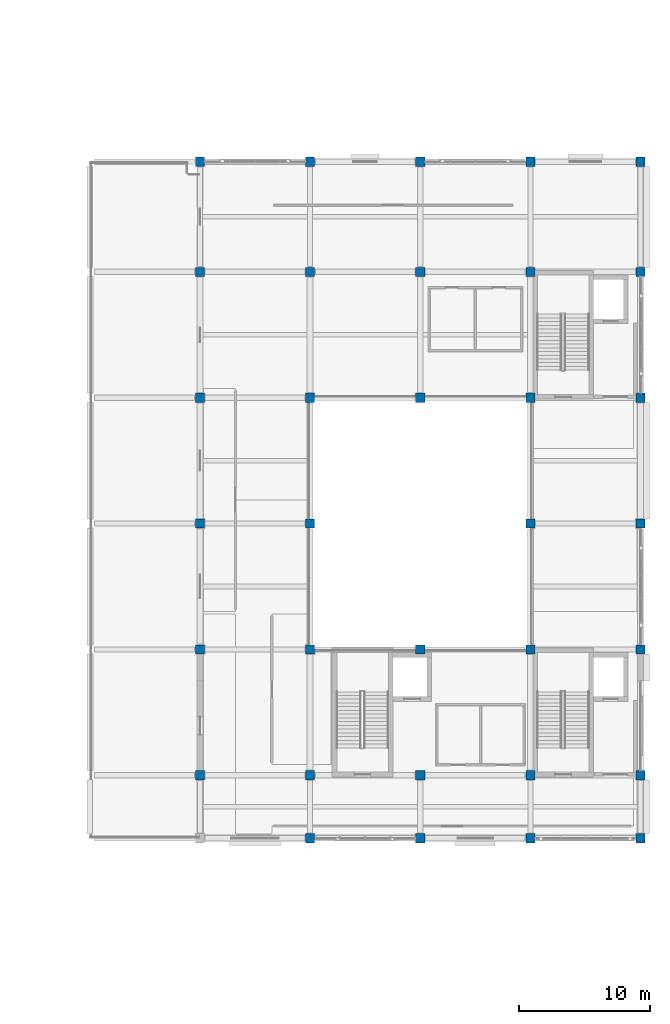
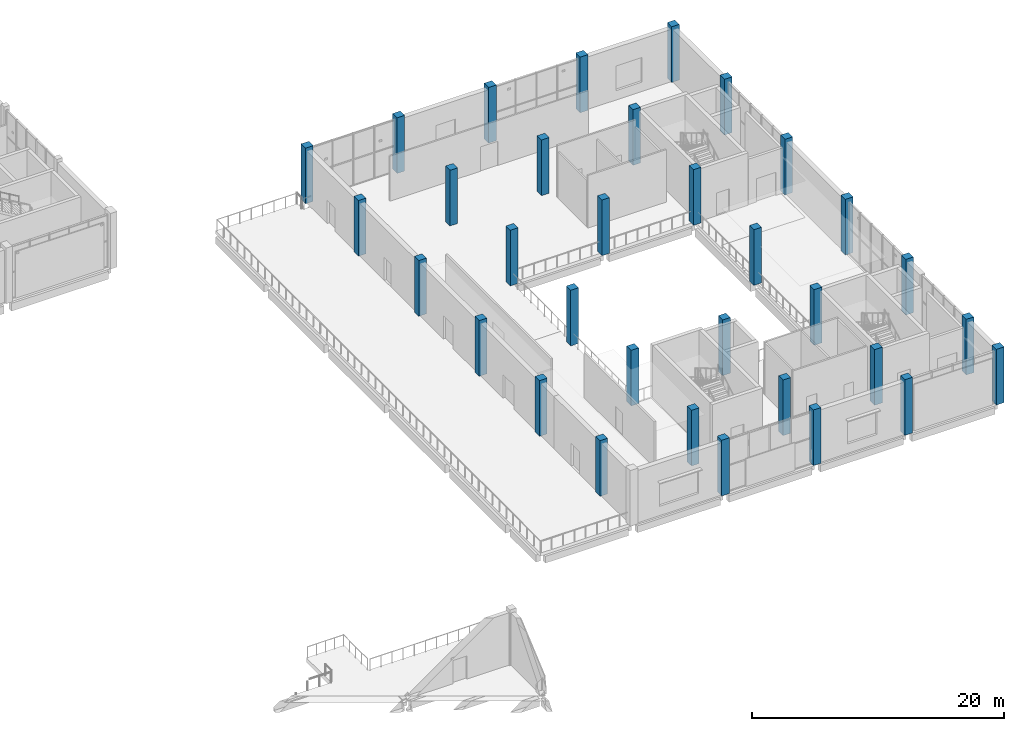
# One storey, part 6 of 83: 33 columns.
"""IFC4 building model written with IfcOpenShell, lengths in metres."""

from ifc_helpers import new_model, si_unit, direction, frame, origin, origin_2d, place, context, subcontext, project, spatial, rectangle, extrude, material, material_profile, profile_set, type_object, element, save


model = new_model("IFC4")

# Units and contexts
model_context = context("Model", 3, precision=1e-05, world=origin(), true_north=direction((0.0, 1.0)))
body_context = subcontext(model_context, "Body", "Model", "MODEL_VIEW")
ifc_project = project(units=[si_unit("LENGTHUNIT", "METRE"), si_unit("AREAUNIT", "SQUARE_METRE"), si_unit("VOLUMEUNIT", "CUBIC_METRE"), si_unit("PLANEANGLEUNIT", "RADIAN"), si_unit("MASSUNIT", "GRAM", prefix="KILO")], contexts=[model_context])

# Site, building, storey
site_placement = place(None, origin())
site = spatial("IfcSite", under=ifc_project, at=site_placement, CompositionType="ELEMENT")
building_placement = place(site_placement, origin())
building = spatial("IfcBuilding", under=site, at=building_placement, Name="Shalvenor Court Art Gallery", CompositionType="ELEMENT")
storey_placement = place(building_placement, frame((0.0, 0.0, 6.0)))
storey = spatial("IfcBuildingStorey", under=building, at=storey_placement, Name="L01", CompositionType="ELEMENT", Elevation=6.0)

# Columns
ifc_material_1 = material(Name="Concrete C40/50", Category="concrete")
ifc_material_profile_1 = material_profile(ifc_material_1, rectangle(XDim=0.699951171875, YDim=0.699951171875, at=origin_2d()), Name="RC 700x700")
ifc_profile_set_1 = profile_set([ifc_material_profile_1], Name="Concrete C40/50")
column_type_1 = type_object("IfcColumnType", Name="C-02", PredefinedType="COLUMN", material=ifc_profile_set_1)
for number, where, z_axis, x_axis, name in (
    (1, (142.800048828125, 50.39990234375, 0.0), (0.0, 0.0, 1.0), (1.0, 0.0, 0.0), "L01 Column COL-L01-C-02-0559"),
    (2, (142.800048828125, 60.0, 0.0), (0.0, 0.0, 1.0), (1.0, 0.0, 0.0), "L01 Column COL-L01-C-02-0565"),
    (3, (142.800048828125, 69.60009765625, 0.0), (0.0, 0.0, 1.0), (1.0, 0.0, 0.0), "L01 Column COL-L01-C-02-0571"),
    (4, (142.800048828125, 79.199951171875, 0.0), (0.0, 0.0, 1.0), (1.0, 0.0, 0.0), "L01 Column COL-L01-C-02-0577"),
    (5, (142.800048828125, 88.800048828125, 0.0), (0.0, 0.0, 1.0), (1.0, 0.0, 0.0), "L01 Column COL-L01-C-02-0583"),
    (6, (151.199951171875, 45.60009765625, 0.0), (0.0, 0.0, 1.0), (1.0, 0.0, 0.0), "L01 Column COL-L01-C-02-0595"),
    (7, (151.199951171875, 50.39990234375, 0.0), (0.0, 0.0, 1.0), (1.0, 0.0, 0.0), "L01 Column COL-L01-C-02-0601"),
    (8, (151.199951171875, 60.0, 0.0), (0.0, 0.0, 1.0), (1.0, 0.0, 0.0), "L01 Column COL-L01-C-02-0607"),
    (9, (151.199951171875, 69.60009765625, 0.0), (0.0, 0.0, 1.0), (1.0, 0.0, 0.0), "L01 Column COL-L01-C-02-0613"),
    (10, (151.199951171875, 79.199951171875, 0.0), (0.0, 0.0, 1.0), (1.0, 0.0, 0.0), "L01 Column COL-L01-C-02-0619"),
    (11, (151.199951171875, 88.800048828125, 0.0), (0.0, 0.0, 1.0), (1.0, 0.0, 0.0), "L01 Column COL-L01-C-02-0625"),
    (12, (159.60009765625, 45.60009765625, 0.0), (0.0, 0.0, 1.0), (1.0, 0.0, 0.0), "L01 Column COL-L01-C-02-0637"),
    (13, (159.60009765625, 50.39990234375, 0.0), (0.0, 0.0, 1.0), (1.0, 0.0, 0.0), "L01 Column COL-L01-C-02-0644"),
    (14, (159.60009765625, 60.0, 0.0), (0.0, 0.0, 1.0), (1.0, 0.0, 0.0), "L01 Column COL-L01-C-02-0651"),
    (15, (159.60009765625, 79.199951171875, 0.0), (0.0, 0.0, 1.0), (1.0, 0.0, 0.0), "L01 Column COL-L01-C-02-0658"),
    (16, (159.60009765625, 88.800048828125, 0.0), (0.0, 0.0, 1.0), (1.0, 0.0, 0.0), "L01 Column COL-L01-C-02-0665"),
    (17, (168.0, 45.60009765625, 0.0), (0.0, 0.0, 1.0), (1.0, 0.0, 0.0), "L01 Column COL-L01-C-02-0679"),
    (18, (168.0, 50.39990234375, 0.0), (0.0, 0.0, 1.0), (1.0, 0.0, 0.0), "L01 Column COL-L01-C-02-0686"),
    (19, (168.0, 60.0, 0.0), (0.0, 0.0, 1.0), (1.0, 0.0, 0.0), "L01 Column COL-L01-C-02-0693"),
    (20, (168.0, 69.60009765625, 0.0), (0.0, 0.0, 1.0), (1.0, 0.0, 0.0), "L01 Column COL-L01-C-02-0700"),
    (21, (168.0, 79.199951171875, 0.0), (0.0, 0.0, 1.0), (1.0, 0.0, 0.0), "L01 Column COL-L01-C-02-0707"),
    (22, (168.0, 88.800048828125, 0.0), (0.0, 0.0, 1.0), (1.0, 0.0, 0.0), "L01 Column COL-L01-C-02-0714"),
):
    element("IfcColumn", number, at=place(storey_placement, frame(where, z_axis=z_axis, x_axis=x_axis)), inside=storey, type_object=column_type_1, Name=name, PredefinedType="COLUMN", context=body_context, shape_type="SweptSolid", body=[
        extrude(rectangle(XDim=0.699951171875, YDim=0.699951171875, at=origin_2d()), origin(), (0.0, 0.0, 1.0), 5.39990234375),
    ])
ifc_material_2 = material(Name="Concrete C40/50", Category="concrete")
ifc_material_profile_2 = material_profile(ifc_material_2, rectangle(XDim=0.699951171875, YDim=0.699951171875, at=origin_2d()), Name="RC 700x700")
ifc_profile_set_2 = profile_set([ifc_material_profile_2], Name="Concrete C40/50")
column_type_2 = type_object("IfcColumnType", Name="C-02E", PredefinedType="COLUMN", material=ifc_profile_set_2)
for number, where, z_axis, x_axis, name in (
    (23, (142.800048828125, 97.199951171875, 0.0), (0.0, 0.0, 1.0), (1.0, 0.0, 0.0), "L01 Column COL-L01-C-02E-0589"),
    (24, (151.199951171875, 97.199951171875, 0.0), (0.0, 0.0, 1.0), (1.0, 0.0, 0.0), "L01 Column COL-L01-C-02E-0631"),
    (25, (159.60009765625, 97.199951171875, 0.0), (0.0, 0.0, 1.0), (1.0, 0.0, 0.0), "L01 Column COL-L01-C-02E-0672"),
    (26, (168.0, 97.199951171875, 0.0), (0.0, 0.0, 1.0), (1.0, 0.0, 0.0), "L01 Column COL-L01-C-02E-0721"),
    (27, (176.39990234375, 45.60009765625, 0.0), (0.0, 0.0, 1.0), (1.0, 0.0, 0.0), "L01 Column COL-L01-C-02E-0728"),
    (28, (176.39990234375, 50.39990234375, 0.0), (0.0, 0.0, 1.0), (1.0, 0.0, 0.0), "L01 Column COL-L01-C-02E-0735"),
    (29, (176.39990234375, 60.0, 0.0), (0.0, 0.0, 1.0), (1.0, 0.0, 0.0), "L01 Column COL-L01-C-02E-0742"),
    (30, (176.39990234375, 69.60009765625, 0.0), (0.0, 0.0, 1.0), (1.0, 0.0, 0.0), "L01 Column COL-L01-C-02E-0749"),
    (31, (176.39990234375, 79.199951171875, 0.0), (0.0, 0.0, 1.0), (1.0, 0.0, 0.0), "L01 Column COL-L01-C-02E-0756"),
    (32, (176.39990234375, 88.800048828125, 0.0), (0.0, 0.0, 1.0), (1.0, 0.0, 0.0), "L01 Column COL-L01-C-02E-0763"),
    (33, (176.39990234375, 97.199951171875, 0.0), (0.0, 0.0, 1.0), (1.0, 0.0, 0.0), "L01 Column COL-L01-C-02E-0770"),
):
    element("IfcColumn", number, at=place(storey_placement, frame(where, z_axis=z_axis, x_axis=x_axis)), inside=storey, type_object=column_type_2, Name=name, PredefinedType="COLUMN", context=body_context, shape_type="SweptSolid", body=[
        extrude(rectangle(XDim=0.699951171875, YDim=0.699951171875, at=origin_2d()), origin(), (0.0, 0.0, 1.0), 5.39990234375),
    ])

save(model, "model.ifc")
